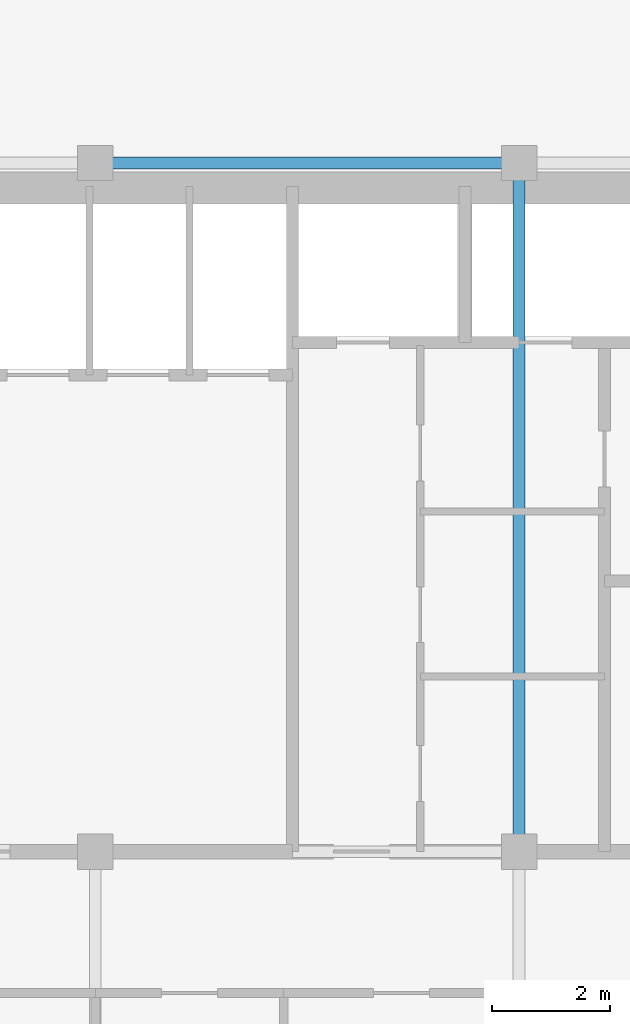
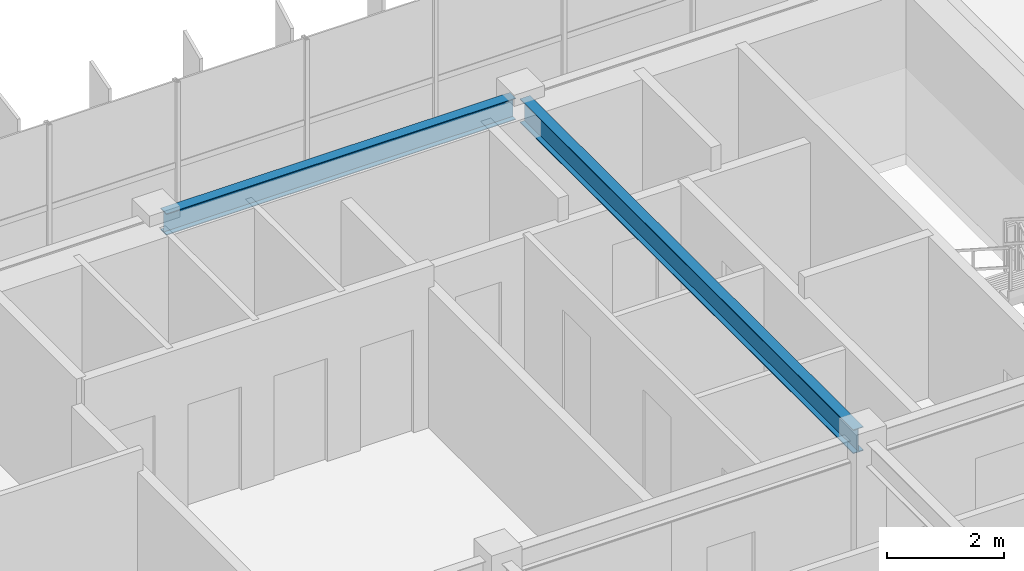
# One storey, part 10 of 22: 2 beams.
"""IFC4 building model written with IfcOpenShell, lengths in metres."""

from ifc_helpers import new_model, si_unit, direction, frame, origin, origin_2d, place, context, subcontext, project, spatial, i_section, extrude, source, transform, mapped, material, material_profile, profile_set, type_object, element, save


model = new_model("IFC4")

# Units and contexts
model_context = context("Model", 3, precision=1e-05, world=origin(), true_north=direction((0.0, 1.0)))
body_context = subcontext(model_context, "Body", "Model", "MODEL_VIEW")
ifc_project = project(units=[si_unit("LENGTHUNIT", "METRE"), si_unit("AREAUNIT", "SQUARE_METRE"), si_unit("VOLUMEUNIT", "CUBIC_METRE"), si_unit("PLANEANGLEUNIT", "RADIAN"), si_unit("MASSUNIT", "GRAM", prefix="KILO")], contexts=[model_context])

# Site, building, storey
site_placement = place(None, origin())
site = spatial("IfcSite", under=ifc_project, at=site_placement, CompositionType="ELEMENT")
building_placement = place(site_placement, origin())
building = spatial("IfcBuilding", under=site, at=building_placement, Name="Trelvane Seafront Commons", CompositionType="ELEMENT")
storey_placement = place(building_placement, frame((0.0, 0.0, 284.699951171875)))
storey = spatial("IfcBuildingStorey", under=building, at=storey_placement, Name="L74", CompositionType="ELEMENT", Elevation=284.699951171875)

# Beams
ifc_material = material(Name="Steel SM355 (S355)", Category="steel")
ifc_material_profile_1 = material_profile(ifc_material, i_section(OverallWidth=0.199951171875, OverallDepth=0.5, WebThickness=0.010009765625, FlangeThickness=0.01611328125, at=origin_2d()), Name="H-500x200x10x16")
ifc_profile_set_1 = profile_set([ifc_material_profile_1], Name="Steel SM355 (S355)")
beam_type_1 = type_object("IfcBeamType", Name="STR-BM-H500", PredefinedType="BEAM", material=ifc_profile_set_1)
shared_shape_1 = source(origin(), body_context, "Body", "SweptSolid", [
    extrude(i_section(OverallWidth=0.199951171875, OverallDepth=0.5, WebThickness=0.010009765625, FlangeThickness=0.01611328125, at=origin_2d()), origin(), (0.0, 0.0, 1.0), 11.39990234375),
])
beam_1_placement = place(storey_placement, frame((51.0, 33.550048828125, 3.1201171875), z_axis=(0.0, 1.0, 0.0), x_axis=(-1.0, 0.0, 0.0)))
element("IfcBeam", 1, at=beam_1_placement, inside=storey, type_object=beam_type_1, Name="L74 Primary Girder G-46", PredefinedType="BEAM", context=body_context, shape_type="MappedRepresentation", body=[
    mapped(shared_shape_1, transform((0.0, 0.0, 0.0), x_axis=(1.0, 0.0, 0.0), y_axis=(0.0, 1.0, 0.0), z_axis=(0.0, 0.0, 1.0), scale=1.0)),
])
ifc_material_profile_2 = material_profile(ifc_material, i_section(OverallWidth=0.199951171875, OverallDepth=0.449951171875, WebThickness=0.009033203125, FlangeThickness=0.013916015625, at=origin_2d()), Name="H-450x200x9x14")
ifc_profile_set_2 = profile_set([ifc_material_profile_2], Name="Steel SM355 (S355)")
beam_type_2 = type_object("IfcBeamType", Name="STR-SPD-H450", PredefinedType="SPANDREL", material=ifc_profile_set_2)
shared_shape_2 = source(origin(), body_context, "Body", "SweptSolid", [
    extrude(i_section(OverallWidth=0.199951171875, OverallDepth=0.449951171875, WebThickness=0.009033203125, FlangeThickness=0.013916015625, at=origin_2d()), origin(), (0.0, 0.0, 1.0), 6.900146484375),
])
beam_2_placement = place(storey_placement, frame((43.949951171875, 45.10009765625, 3.14501953125), z_axis=(1.0, 0.0, 0.0), x_axis=(0.0, 1.0, 0.0)))
element("IfcBeam", 2, at=beam_2_placement, inside=storey, type_object=beam_type_2, Name="L74 Primary Girder G-26", PredefinedType="SPANDREL", context=body_context, shape_type="MappedRepresentation", body=[
    mapped(shared_shape_2, transform((0.0, 0.0, 0.0), x_axis=(1.0, 0.0, 0.0), y_axis=(0.0, 1.0, 0.0), z_axis=(0.0, 0.0, 1.0), scale=1.0)),
])

save(model, "model.ifc")
